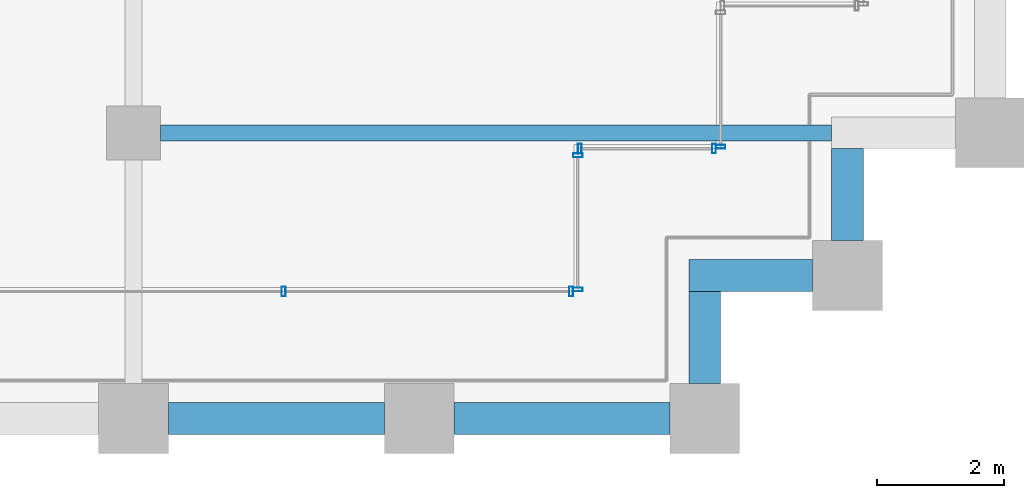
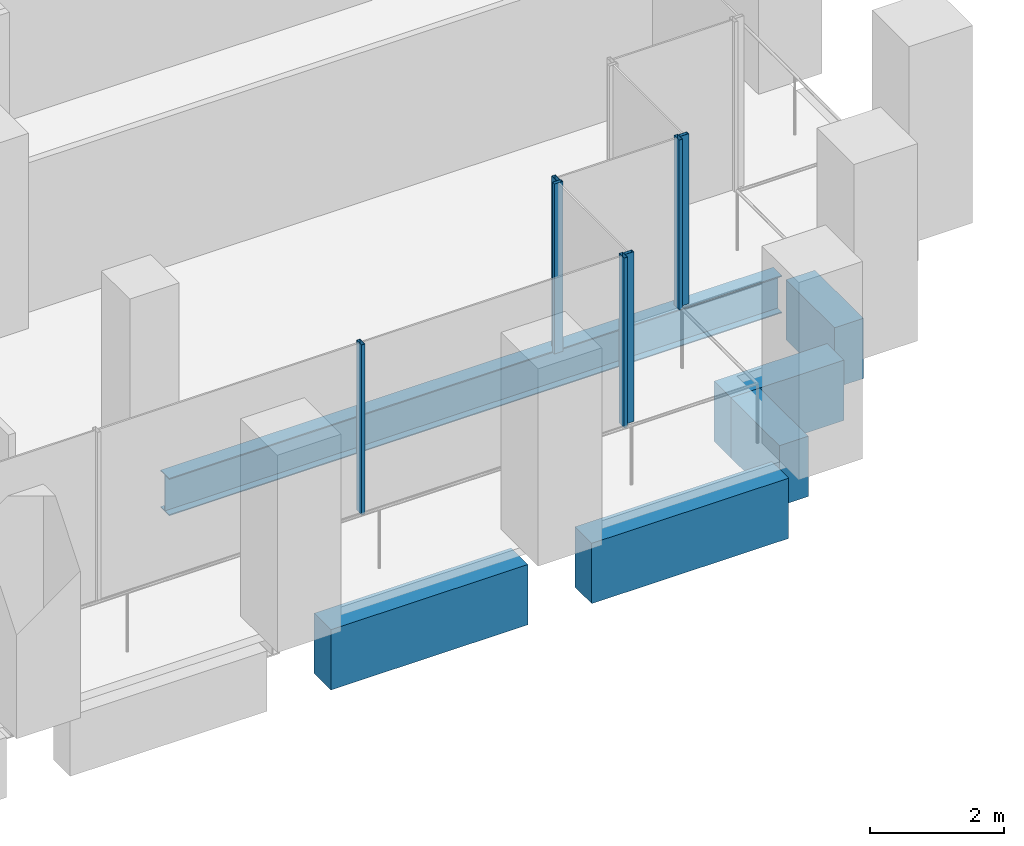
# One storey, part 15 of 56: 7 members, 6 beams, 4 elements without a shape of their own.
"""IFC4 building model written with IfcOpenShell, lengths in metres."""

from ifc_helpers import new_model, si_unit, direction, frame, origin, origin_2d, place, context, subcontext, project, spatial, rectangle, hollow_rectangle, i_section, extrude, material, material_profile, profile_set, type_object, element, aggregate, save


model = new_model("IFC4")

# Units and contexts
model_context = context("Model", 3, precision=1e-05, world=origin(), true_north=direction((0.0, 1.0)))
body_context = subcontext(model_context, "Body", "Model", "MODEL_VIEW")
ifc_project = project(units=[si_unit("LENGTHUNIT", "METRE"), si_unit("AREAUNIT", "SQUARE_METRE"), si_unit("VOLUMEUNIT", "CUBIC_METRE"), si_unit("PLANEANGLEUNIT", "RADIAN"), si_unit("MASSUNIT", "GRAM", prefix="KILO")], contexts=[model_context])

# Site, building, storey
site_placement = place(None, origin())
site = spatial("IfcSite", under=ifc_project, at=site_placement, CompositionType="ELEMENT")
building_placement = place(site_placement, origin())
building = spatial("IfcBuilding", under=site, at=building_placement, Name="Altepetl Exchange Towers", CompositionType="ELEMENT")
storey_placement = place(building_placement, frame((0.0, 0.0, 72.60009765625)))
storey = spatial("IfcBuildingStorey", under=building, at=storey_placement, Name="L17", CompositionType="ELEMENT", Elevation=72.60009765625)

# Beam
ifc_material_1 = material(Name="Steel S355", Category="steel")
ifc_material_profile_1 = material_profile(ifc_material_1, i_section(OverallWidth=0.25390625, OverallDepth=0.68408203125, WebThickness=0.012451171875, FlangeThickness=0.018798828125, at=origin_2d()), Name="W27X94")
ifc_profile_set_1 = profile_set([ifc_material_profile_1], Name="Steel S355")
beam_type_1 = type_object("IfcBeamType", Name="Floor beam W27X94", PredefinedType="BEAM", material=ifc_profile_set_1)
beam_1_placement = place(storey_placement, frame((58.925048828125, 31.5, -0.4921875), z_axis=(1.0, 0.0, 0.0), x_axis=(0.0, 1.0, 0.0)))
element("IfcBeam", 1, at=beam_1_placement, inside=storey, type_object=beam_type_1, Name="bm:A:L17:006", PredefinedType="BEAM", context=body_context, shape_type="SweptSolid", body=[
    extrude(i_section(OverallWidth=0.25390625, OverallDepth=0.68408203125, WebThickness=0.012451171875, FlangeThickness=0.018798828125, at=origin_2d()), origin(), (0.0, 0.0, 1.0), 10.574951171875),
])

# Curtain wall, members
ifc_material_2 = material(Name="Aluminium 6063-T6 glazing", Category="aluminium")
curtain_wall_type = type_object("IfcCurtainWallType", Name="Loggia glazing system", PredefinedType="NOTDEFINED", material=ifc_material_2)
curtain_wall_1_placement = place(storey_placement, origin())
curtain_wall_1 = element("IfcCurtainWall", 2, at=curtain_wall_1_placement, inside=storey, type_object=curtain_wall_type, Name="CW1 run", PredefinedType="NOTDEFINED")
ifc_material_3 = material(Name="Aluminium 6063-T6", Category="aluminium")
ifc_material_profile_2 = material_profile(ifc_material_3, hollow_rectangle(XDim=0.06005859375, YDim=0.14990234375, WallThickness=0.0029296875, at=origin_2d()), Name="Mullion 60x150 aluminium")
ifc_profile_set_2 = profile_set([ifc_material_profile_2], Name="Aluminium 6063-T6")
member_type = type_object("IfcMemberType", Name="Mullion 60x150 aluminium", PredefinedType="MULLION", material=ifc_profile_set_2)
member_1_placement = place(storey_placement, frame((60.8642578125, 29.0, 0.0)))
member_1 = element("IfcMember", 3, at=member_1_placement, type_object=member_type, Name="MU1 mullion", PredefinedType="MULLION", context=body_context, shape_type="SweptSolid", body=[
    extrude(hollow_rectangle(XDim=0.06005859375, YDim=0.14990234375, WallThickness=0.0029296875, at=origin_2d()), origin(), (0.0, 0.0, 1.0), 3.099853515625),
])
member_2_placement = place(storey_placement, frame((65.39501953125, 29.0, 0.0)))
member_2 = element("IfcMember", 4, at=member_2_placement, type_object=member_type, Name="MU1 mullion", PredefinedType="MULLION", context=body_context, shape_type="SweptSolid", body=[
    extrude(hollow_rectangle(XDim=0.06005859375, YDim=0.14990234375, WallThickness=0.0029296875, at=origin_2d()), origin(), (0.0, 0.0, 1.0), 3.099853515625),
])
aggregate(curtain_wall_1, [member_1, member_2])

curtain_wall_2_placement = place(storey_placement, origin())
curtain_wall_2 = element("IfcCurtainWall", 5, at=curtain_wall_2_placement, inside=storey, type_object=curtain_wall_type, Name="CW1 run", PredefinedType="NOTDEFINED")
member_3_placement = place(storey_placement, frame((65.5, 29.030029296875, 0.0), z_axis=(0.0, 0.0, 1.0), x_axis=(0.0, 1.0, 0.0)))
member_3 = element("IfcMember", 6, at=member_3_placement, type_object=member_type, Name="MU1 mullion", PredefinedType="MULLION", context=body_context, shape_type="SweptSolid", body=[
    extrude(hollow_rectangle(XDim=0.06005859375, YDim=0.14990234375, WallThickness=0.0029296875, at=origin_2d()), origin(), (0.0, 0.0, 1.0), 3.099853515625),
])
member_4_placement = place(storey_placement, frame((65.5, 31.14501953125, 0.0), z_axis=(0.0, 0.0, 1.0), x_axis=(0.0, 1.0, 0.0)))
member_4 = element("IfcMember", 7, at=member_4_placement, type_object=member_type, Name="MU1 mullion", PredefinedType="MULLION", context=body_context, shape_type="SweptSolid", body=[
    extrude(hollow_rectangle(XDim=0.06005859375, YDim=0.14990234375, WallThickness=0.0029296875, at=origin_2d()), origin(), (0.0, 0.0, 1.0), 3.099853515625),
])
aggregate(curtain_wall_2, [member_3, member_4])

curtain_wall_3_placement = place(storey_placement, origin())
curtain_wall_3 = element("IfcCurtainWall", 8, at=curtain_wall_3_placement, inside=storey, type_object=curtain_wall_type, Name="CW1 run", PredefinedType="NOTDEFINED")
member_5_placement = place(storey_placement, frame((65.530029296875, 31.25, 0.0)))
member_5 = element("IfcMember", 9, at=member_5_placement, type_object=member_type, Name="MU1 mullion", PredefinedType="MULLION", context=body_context, shape_type="SweptSolid", body=[
    extrude(hollow_rectangle(XDim=0.06005859375, YDim=0.14990234375, WallThickness=0.0029296875, at=origin_2d()), origin(), (0.0, 0.0, 1.0), 3.099853515625),
])
member_6_placement = place(storey_placement, frame((67.64501953125, 31.25, 0.0)))
member_6 = element("IfcMember", 10, at=member_6_placement, type_object=member_type, Name="MU1 mullion", PredefinedType="MULLION", context=body_context, shape_type="SweptSolid", body=[
    extrude(hollow_rectangle(XDim=0.06005859375, YDim=0.14990234375, WallThickness=0.0029296875, at=origin_2d()), origin(), (0.0, 0.0, 1.0), 3.099853515625),
])
aggregate(curtain_wall_3, [member_5, member_6])

# Curtain wall, member
curtain_wall_4_placement = place(storey_placement, origin())
curtain_wall_4 = element("IfcCurtainWall", 11, at=curtain_wall_4_placement, inside=storey, type_object=curtain_wall_type, Name="CW1 run", PredefinedType="NOTDEFINED")
member_7_placement = place(storey_placement, frame((67.75, 31.280029296875, 0.0), z_axis=(0.0, 0.0, 1.0), x_axis=(0.0, 1.0, 0.0)))
member_7 = element("IfcMember", 12, at=member_7_placement, type_object=member_type, Name="MU1 mullion", PredefinedType="MULLION", context=body_context, shape_type="SweptSolid", body=[
    extrude(hollow_rectangle(XDim=0.06005859375, YDim=0.14990234375, WallThickness=0.0029296875, at=origin_2d()), origin(), (0.0, 0.0, 1.0), 3.099853515625),
])
aggregate(curtain_wall_4, [member_7])

# Beams
ifc_material_4 = material(Name="Concrete C50/60 precast with cantera amarilla facing", Category="concrete")
ifc_material_profile_3 = material_profile(ifc_material_4, rectangle(XDim=0.5, YDim=1.10009765625, at=origin_2d()), Name="500 x 1100")
ifc_profile_set_3 = profile_set([ifc_material_profile_3], Name="Concrete C50/60 precast with cantera amarilla facing")
beam_type_2 = type_object("IfcBeamType", Name="Spandrel beam 500x1100 cantera amarilla", PredefinedType="SPANDREL", material=ifc_profile_set_3)
for number, where, z_axis, x_axis, name in (
    (13, (59.050048828125, 27.0, -0.7001953125), (1.0, 0.0, 0.0), (0.0, 1.0, 0.0), "sp:A:L17:006"),
    (14, (63.550048828125, 27.0, -0.7001953125), (1.0, 0.0, 0.0), (0.0, 1.0, 0.0), "sp:A:L17:007"),
):
    element("IfcBeam", number, at=place(storey_placement, frame(where, z_axis=z_axis, x_axis=x_axis)), inside=storey, type_object=beam_type_2, Name=name, PredefinedType="SPANDREL", context=body_context, shape_type="SweptSolid", body=[
        extrude(rectangle(XDim=0.5, YDim=1.10009765625, at=origin_2d()), origin(), (0.0, 0.0, 1.0), 3.39990234375),
    ])
beam_2_placement = place(storey_placement, frame((67.5, 27.550048828125, -0.7001953125), z_axis=(0.0, 1.0, 0.0), x_axis=(-1.0, 0.0, 0.0)))
element("IfcBeam", 15, at=beam_2_placement, inside=storey, type_object=beam_type_2, Name="sp:A:L17:008", PredefinedType="SPANDREL", context=body_context, shape_type="SweptSolid", body=[
    extrude(rectangle(XDim=0.5, YDim=1.10009765625, at=origin_2d()), origin(), (0.0, 0.0, 1.0), 1.449951171875),
])
beam_3_placement = place(storey_placement, frame((67.25, 29.25, -0.7001953125), z_axis=(1.0, 0.0, 0.0), x_axis=(0.0, 1.0, 0.0)))
element("IfcBeam", 16, at=beam_3_placement, inside=storey, type_object=beam_type_2, Name="sp:A:L17:009", PredefinedType="SPANDREL", context=body_context, shape_type="SweptSolid", body=[
    extrude(rectangle(XDim=0.5, YDim=1.10009765625, at=origin_2d()), origin(), (0.0, 0.0, 1.0), 1.949951171875),
])
beam_4_placement = place(storey_placement, frame((69.75, 29.800048828125, -0.7001953125), z_axis=(0.0, 1.0, 0.0), x_axis=(-1.0, 0.0, 0.0)))
element("IfcBeam", 17, at=beam_4_placement, inside=storey, type_object=beam_type_2, Name="sp:A:L17:010", PredefinedType="SPANDREL", context=body_context, shape_type="SweptSolid", body=[
    extrude(rectangle(XDim=0.5, YDim=1.10009765625, at=origin_2d()), origin(), (0.0, 0.0, 1.0), 1.449951171875),
])

save(model, "model.ifc")
